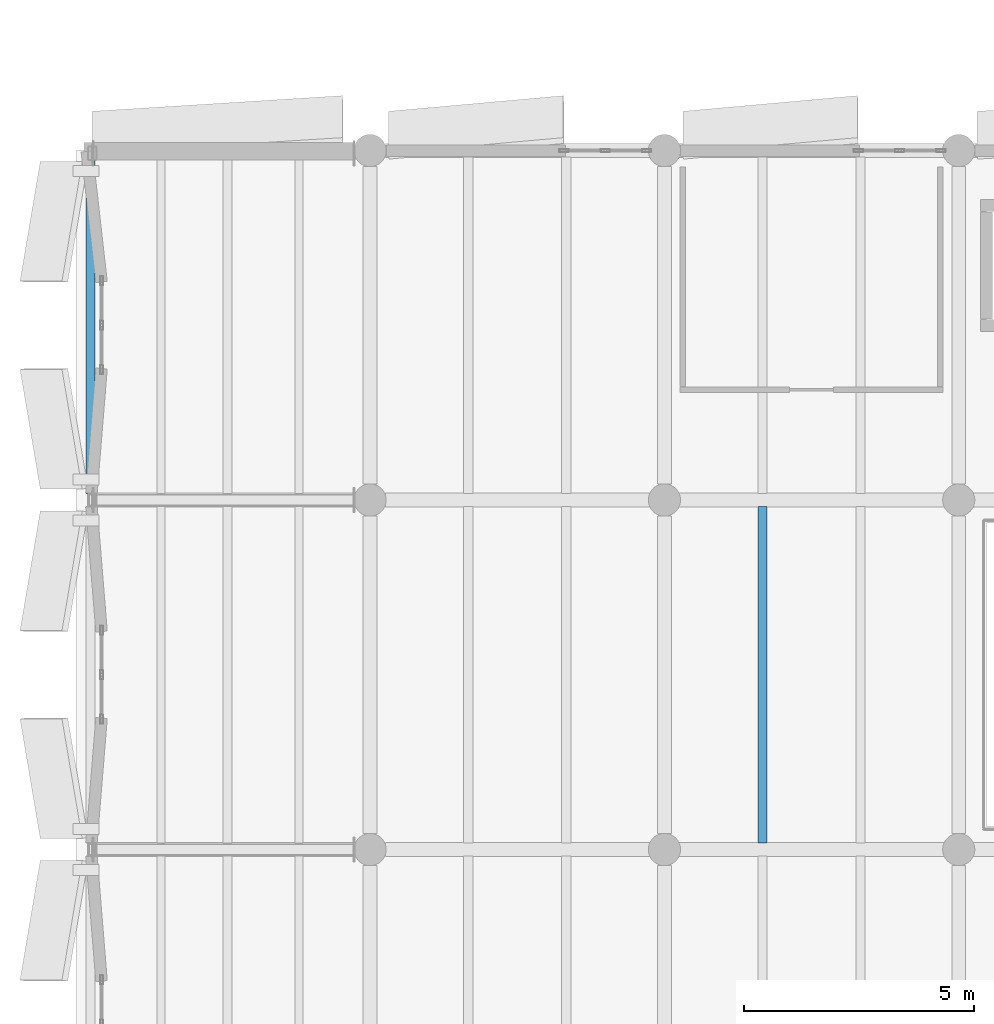
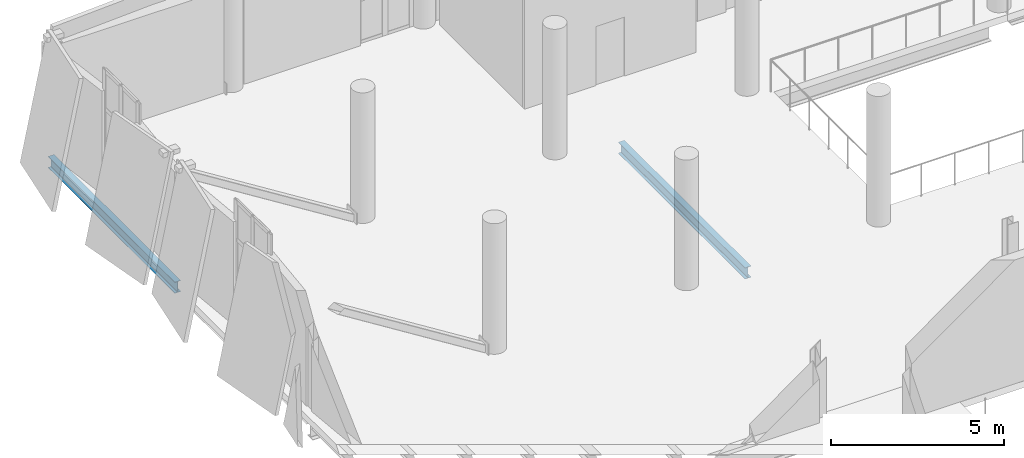
# One storey, part 21 of 74: 2 beams.
"""IFC4 building model written with IfcOpenShell, lengths in metres."""

from ifc_helpers import new_model, si_unit, direction, frame, origin, origin_2d, place, context, subcontext, project, spatial, i_section, extrude, material, material_profile, profile_set, type_object, element, save


model = new_model("IFC4")

# Units and contexts
model_context = context("Model", 3, precision=1e-05, world=origin(), true_north=direction((0.0, 1.0)))
body_context = subcontext(model_context, "Body", "Model", "MODEL_VIEW")
ifc_project = project(units=[si_unit("LENGTHUNIT", "METRE"), si_unit("AREAUNIT", "SQUARE_METRE"), si_unit("VOLUMEUNIT", "CUBIC_METRE"), si_unit("PLANEANGLEUNIT", "RADIAN"), si_unit("MASSUNIT", "GRAM", prefix="KILO")], contexts=[model_context])

# Site, building, storey
site_placement = place(None, origin())
site = spatial("IfcSite", under=ifc_project, at=site_placement, CompositionType="ELEMENT")
building_placement = place(site_placement, origin())
building = spatial("IfcBuilding", under=site, at=building_placement, Name="Shengluoqiao Park Theatre", CompositionType="ELEMENT")
storey_placement = place(building_placement, frame((0.0, 0.0, 14.60009765625)))
storey = spatial("IfcBuildingStorey", under=building, at=storey_placement, Name="L03", CompositionType="ELEMENT", Elevation=14.60009765625)

# Beams
ifc_material = material(Name="Steel Q355", Category="steel")
ifc_material_profile_1 = material_profile(ifc_material, i_section(OverallWidth=0.199951171875, OverallDepth=0.39990234375, WebThickness=0.008056640625, FlangeThickness=0.012939453125, FilletRadius=0.01611328125, at=origin_2d()), Name="HN 400x200x8x13")
ifc_profile_set_1 = profile_set([ifc_material_profile_1], Name="Steel Q355")
beam_type_1 = type_object("IfcBeamType", Name="STR-BM-J-HN400", PredefinedType="JOIST", material=ifc_profile_set_1)
beam_1_placement = place(storey_placement, frame((14.933349609375, 60.945068359375, -0.440185546875), z_axis=(0.0, 1.0, 0.0), x_axis=(-1.0, 0.0, 0.0)))
element("IfcBeam", 1, at=beam_1_placement, inside=storey, type_object=beam_type_1, Name="L03 Composite Joist 01328", PredefinedType="JOIST", context=body_context, shape_type="SweptSolid", body=[
    extrude(i_section(OverallWidth=0.199951171875, OverallDepth=0.39990234375, WebThickness=0.008056640625, FlangeThickness=0.012939453125, FilletRadius=0.01611328125, at=origin_2d()), origin(), (0.0, 0.0, 1.0), 7.309814453125),
])
ifc_material_profile_2 = material_profile(ifc_material, i_section(OverallWidth=0.198974609375, OverallDepth=0.39599609375, WebThickness=0.007080078125, FlangeThickness=0.010986328125, FilletRadius=0.01611328125, at=origin_2d()), Name="HN 396x199x7x11")
ifc_profile_set_2 = profile_set([ifc_material_profile_2], Name="Steel Q355")
beam_type_2 = type_object("IfcBeamType", Name="STR-BM-SP-HN396", PredefinedType="SPANDREL", material=ifc_profile_set_2)
beam_2_placement = place(storey_placement, frame((0.320068359375, 68.5439453125, -0.43798828125), z_axis=(0.0, 1.0, 0.0), x_axis=(-1.0, 0.0, 0.0)))
element("IfcBeam", 2, at=beam_2_placement, inside=storey, type_object=beam_type_2, Name="V5 L03 Cantilever Spandrel 00059", PredefinedType="SPANDREL", context=body_context, shape_type="SweptSolid", body=[
    extrude(i_section(OverallWidth=0.198974609375, OverallDepth=0.39599609375, WebThickness=0.007080078125, FlangeThickness=0.010986328125, FilletRadius=0.01611328125, at=origin_2d()), origin(), (0.0, 0.0, 1.0), 7.31201171875),
])

save(model, "model.ifc")
